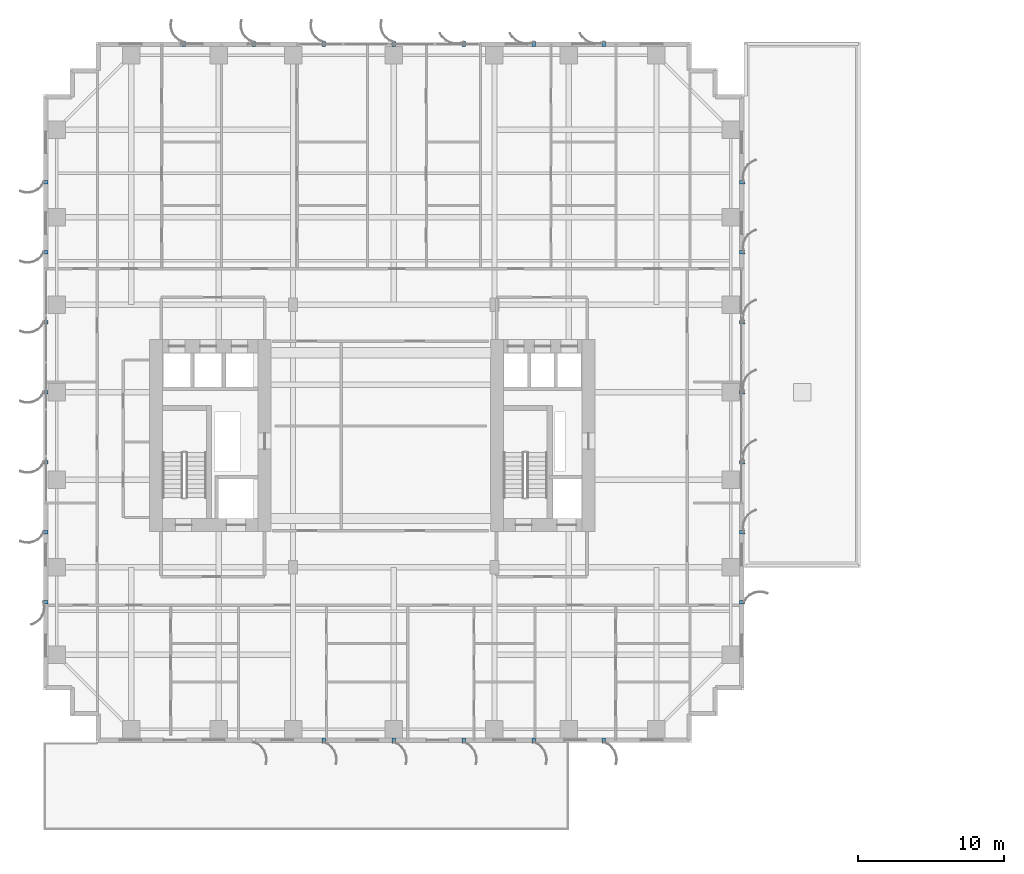
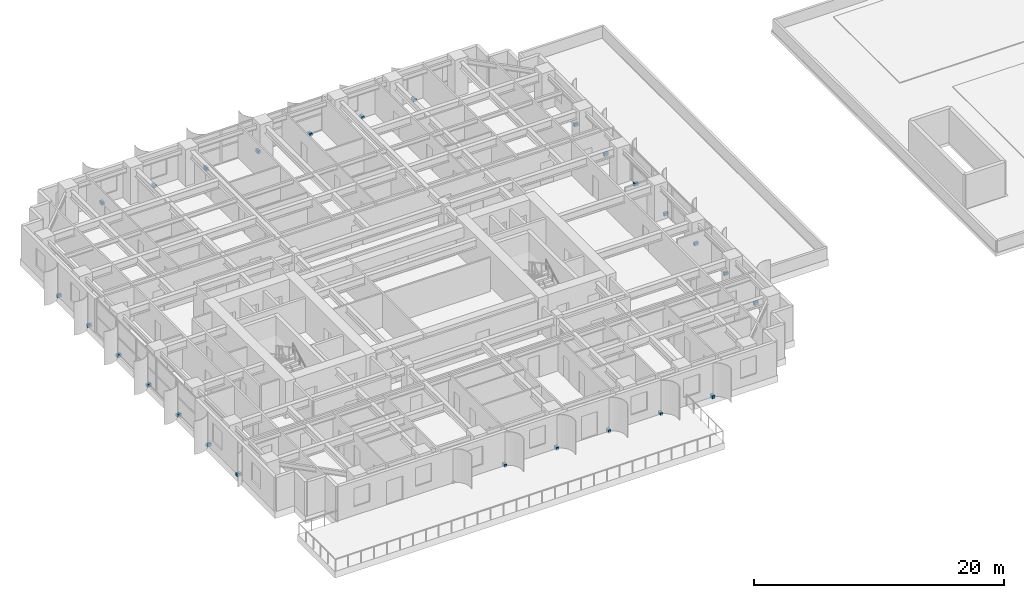
# One storey, part 17 of 21: 26 discrete accessories.
"""IFC4 building model written with IfcOpenShell, lengths in metres."""

from ifc_helpers import new_model, si_unit, direction, frame, origin, origin_2d, place, context, subcontext, project, spatial, rectangle, extrude, source, transform, mapped, material, type_object, element, save


model = new_model("IFC4")

# Units and contexts
model_context = context("Model", 3, precision=1e-05, world=origin(), true_north=direction((0.0, 1.0)))
body_context = subcontext(model_context, "Body", "Model", "MODEL_VIEW")
ifc_project = project(units=[si_unit("LENGTHUNIT", "METRE"), si_unit("AREAUNIT", "SQUARE_METRE"), si_unit("VOLUMEUNIT", "CUBIC_METRE"), si_unit("PLANEANGLEUNIT", "RADIAN"), si_unit("MASSUNIT", "GRAM", prefix="KILO")], contexts=[model_context])

# Site, building, storey
site_placement = place(None, origin())
site = spatial("IfcSite", under=ifc_project, at=site_placement, CompositionType="ELEMENT")
building_placement = place(site_placement, origin())
building = spatial("IfcBuilding", under=site, at=building_placement, Name="Khoralis Quay Care Tower", CompositionType="ELEMENT")
storey_placement = place(building_placement, frame((0.0, 0.0, 22.5)))
storey = spatial("IfcBuildingStorey", under=building, at=storey_placement, Name="L05", CompositionType="ELEMENT", Elevation=22.5)

# Discrete accessories
ifc_material = material(Name="Brushed stainless steel", Category="steel")
discrete_accessory_type = type_object("IfcDiscreteAccessoryType", Name="ACC-FIN-BRACKET", PredefinedType="BRACKET", material=ifc_material)
shared_shape = source(origin(), body_context, "Body", "SweptSolid", [
    extrude(rectangle(XDim=0.39990234375, YDim=0.239990234375, at=origin_2d()), origin(), (0.0, 0.0, 1.0), 0.280029296875),
])
for number, where, z_axis, x_axis, name in (
    (1, (19.199951171875, 0.110107421875, -0.1201171875), (0.0, 0.0, 1.0), (0.0, -1.0, 0.0), "L05 Solar Fin Bracket P1E0-03"),
    (2, (24.0, 0.110107421875, -0.1201171875), (0.0, 0.0, 1.0), (0.0, -1.0, 0.0), "L05 Solar Fin Bracket P1E0-04"),
    (3, (28.800048828125, 0.110107421875, -0.1201171875), (0.0, 0.0, 1.0), (0.0, -1.0, 0.0), "L05 Solar Fin Bracket P1E0-05"),
    (4, (33.60009765625, 0.110107421875, -0.1201171875), (0.0, 0.0, 1.0), (0.0, -1.0, 0.0), "L05 Solar Fin Bracket P1E0-06"),
    (5, (38.39990234375, 0.110107421875, -0.1201171875), (0.0, 0.0, 1.0), (0.0, -1.0, 0.0), "L05 Solar Fin Bracket P1E0-07"),
    (6, (47.889892578125, 9.60009765625, -0.1201171875), (0.0, 0.0, 1.0), (1.0, 0.0, 0.0), "L05 Solar Fin Bracket P1E5-01"),
    (7, (47.889892578125, 14.39990234375, -0.1201171875), (0.0, 0.0, 1.0), (1.0, 0.0, 0.0), "L05 Solar Fin Bracket P1E5-02"),
    (8, (47.889892578125, 19.199951171875, -0.1201171875), (0.0, 0.0, 1.0), (1.0, 0.0, 0.0), "L05 Solar Fin Bracket P1E5-03"),
    (9, (47.889892578125, 24.0, -0.1201171875), (0.0, 0.0, 1.0), (1.0, 0.0, 0.0), "L05 Solar Fin Bracket P1E5-04"),
    (10, (47.889892578125, 28.800048828125, -0.1201171875), (0.0, 0.0, 1.0), (1.0, 0.0, 0.0), "L05 Solar Fin Bracket P1E5-05"),
    (11, (47.889892578125, 33.60009765625, -0.1201171875), (0.0, 0.0, 1.0), (1.0, 0.0, 0.0), "L05 Solar Fin Bracket P1E5-06"),
    (12, (47.889892578125, 38.39990234375, -0.1201171875), (0.0, 0.0, 1.0), (1.0, 0.0, 0.0), "L05 Solar Fin Bracket P1E5-07"),
    (13, (38.39990234375, 47.889892578125, -0.1201171875), (0.0, 0.0, 1.0), (0.0, 1.0, 0.0), "L05 Solar Fin Bracket P1E10-01"),
    (14, (33.60009765625, 47.889892578125, -0.1201171875), (0.0, 0.0, 1.0), (0.0, 1.0, 0.0), "L05 Solar Fin Bracket P1E10-02"),
    (15, (28.800048828125, 47.889892578125, -0.1201171875), (0.0, 0.0, 1.0), (0.0, 1.0, 0.0), "L05 Solar Fin Bracket P1E10-03"),
    (16, (24.0, 47.889892578125, -0.1201171875), (0.0, 0.0, 1.0), (0.0, 1.0, 0.0), "L05 Solar Fin Bracket P1E10-04"),
    (17, (19.199951171875, 47.889892578125, -0.1201171875), (0.0, 0.0, 1.0), (0.0, 1.0, 0.0), "L05 Solar Fin Bracket P1E10-05"),
    (18, (14.39990234375, 47.889892578125, -0.1201171875), (0.0, 0.0, 1.0), (0.0, 1.0, 0.0), "L05 Solar Fin Bracket P1E10-06"),
    (19, (9.60009765625, 47.889892578125, -0.1201171875), (0.0, 0.0, 1.0), (0.0, 1.0, 0.0), "L05 Solar Fin Bracket P1E10-07"),
    (20, (0.110107421875, 38.39990234375, -0.1201171875), (0.0, 0.0, 1.0), (-1.0, 0.0, 0.0), "L05 Solar Fin Bracket P1E15-01"),
    (21, (0.110107421875, 33.60009765625, -0.1201171875), (0.0, 0.0, 1.0), (-1.0, 0.0, 0.0), "L05 Solar Fin Bracket P1E15-02"),
    (22, (0.110107421875, 28.800048828125, -0.1201171875), (0.0, 0.0, 1.0), (-1.0, 0.0, 0.0), "L05 Solar Fin Bracket P1E15-03"),
    (23, (0.110107421875, 24.0, -0.1201171875), (0.0, 0.0, 1.0), (-1.0, 0.0, 0.0), "L05 Solar Fin Bracket P1E15-04"),
    (24, (0.110107421875, 19.199951171875, -0.1201171875), (0.0, 0.0, 1.0), (-1.0, 0.0, 0.0), "L05 Solar Fin Bracket P1E15-05"),
    (25, (0.110107421875, 14.39990234375, -0.1201171875), (0.0, 0.0, 1.0), (-1.0, 0.0, 0.0), "L05 Solar Fin Bracket P1E15-06"),
    (26, (0.110107421875, 9.60009765625, -0.1201171875), (0.0, 0.0, 1.0), (-1.0, 0.0, 0.0), "L05 Solar Fin Bracket P1E15-07"),
):
    element("IfcDiscreteAccessory", number, at=place(storey_placement, frame(where, z_axis=z_axis, x_axis=x_axis)), inside=storey, type_object=discrete_accessory_type, Name=name, PredefinedType="BRACKET", context=body_context, shape_type="MappedRepresentation", body=[
        mapped(shared_shape, transform((0.0, 0.0, 0.0), scale=1.0)),
    ])

save(model, "model.ifc")
